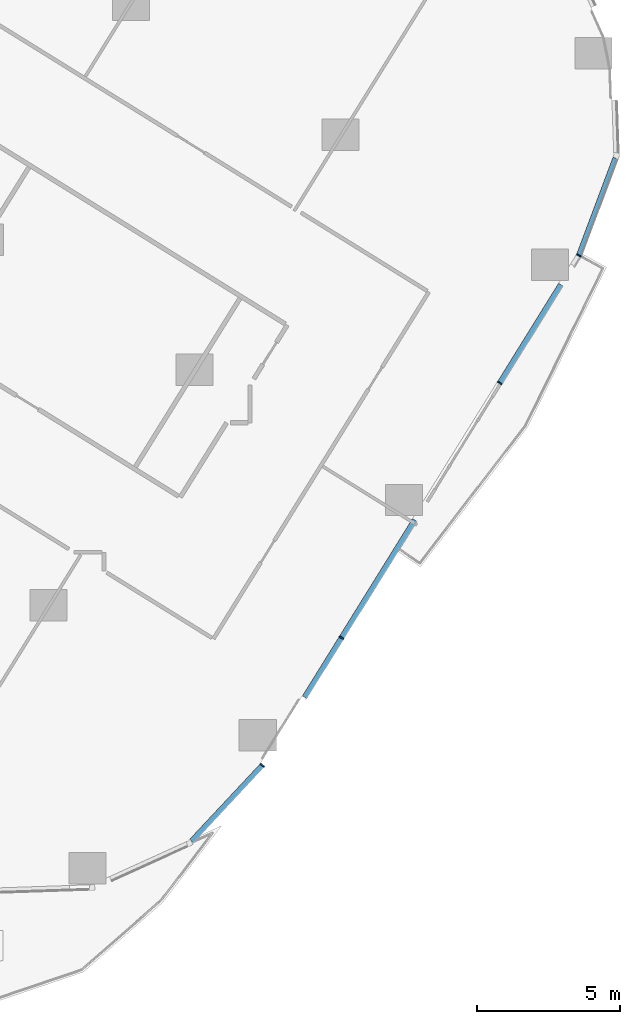
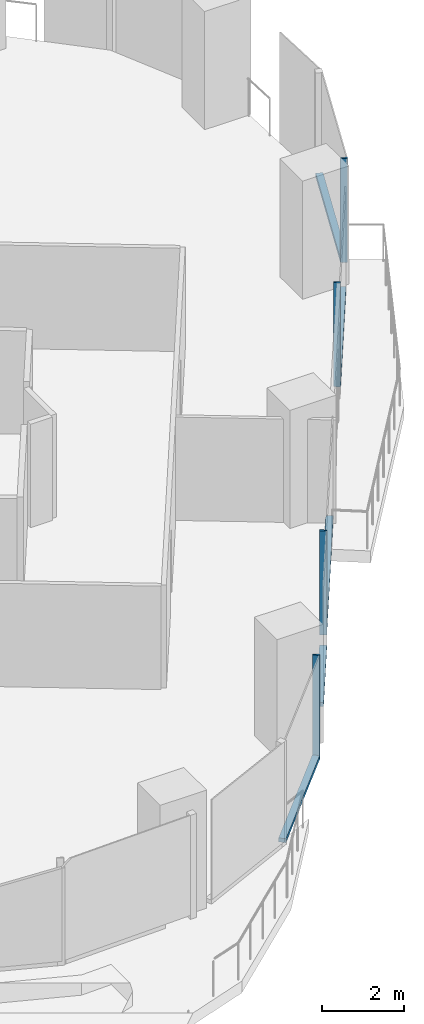
# One storey, part 8 of 34: 9 members, 3 elements without a shape of their own.
"""IFC4 building model written with IfcOpenShell, lengths in metres."""

from ifc_helpers import new_model, si_unit, direction, frame, origin, origin_2d, place, context, subcontext, project, spatial, rectangle, extrude, material, material_profile, profile_set, type_object, element, aggregate, save


model = new_model("IFC4")

# Units and contexts
model_context = context("Model", 3, precision=1e-05, world=origin(), true_north=direction((0.0, 1.0)))
body_context = subcontext(model_context, "Body", "Model", "MODEL_VIEW")
ifc_project = project(units=[si_unit("LENGTHUNIT", "METRE"), si_unit("AREAUNIT", "SQUARE_METRE"), si_unit("VOLUMEUNIT", "CUBIC_METRE"), si_unit("PLANEANGLEUNIT", "RADIAN"), si_unit("MASSUNIT", "GRAM", prefix="KILO")], contexts=[model_context])

# Site, building, storey
site_placement = place(None, origin())
site = spatial("IfcSite", under=ifc_project, at=site_placement, CompositionType="ELEMENT")
building_placement = place(site_placement, origin())
building = spatial("IfcBuilding", under=site, at=building_placement, Name="Orlundy Tower", CompositionType="ELEMENT")
storey_placement = place(building_placement, frame((0.0, 0.0, 37.300048828125)))
storey = spatial("IfcBuildingStorey", under=building, at=storey_placement, Name="L07", CompositionType="ELEMENT", Elevation=37.300048828125)

# Curtain wall, members
ifc_material_1 = material(Name="Aluminium bronze anodised", Category="aluminium")
curtain_wall_type = type_object("IfcCurtainWallType", Name="CW1 wall", PredefinedType="NOTDEFINED", material=ifc_material_1)
curtain_wall_1_placement = place(storey_placement, origin())
curtain_wall_1 = element("IfcCurtainWall", 1, at=curtain_wall_1_placement, inside=storey, type_object=curtain_wall_type, Name="CW1 run 011", PredefinedType="NOTDEFINED")
ifc_material_2 = material(Name="Aluminium bronze anodised", Category="aluminium")
ifc_material_profile_1 = material_profile(ifc_material_2, rectangle(XDim=0.179931640625, YDim=0.050048828125, at=origin_2d()), Name="CW1 mullion 50x180")
ifc_profile_set_1 = profile_set([ifc_material_profile_1], Name="Aluminium bronze anodised")
member_type_1 = type_object("IfcMemberType", Name="CW1 mullion 50x180", PredefinedType="MULLION", material=ifc_profile_set_1)
member_1_placement = place(storey_placement, frame((56.170166015625, -22.5029296875, 0.0), z_axis=(0.0, 0.0, 1.0), x_axis=(0.897195117348, -0.441634375255, 0.0)))
member_1 = element("IfcMember", 2, at=member_1_placement, type_object=member_type_1, Name="CW1 mullion 36", PredefinedType="MULLION", context=body_context, shape_type="SweptSolid", body=[
    extrude(rectangle(XDim=0.179931640625, YDim=0.050048828125, at=origin_2d()), origin(), (0.0, 0.0, 1.0), 3.079833984375),
])
member_2_placement = place(storey_placement, frame((53.396240234375, -26.970703125, 0.0), z_axis=(0.0, 0.0, 1.0), x_axis=(0.849570263059, -0.527475466848, 0.0)))
member_2 = element("IfcMember", 3, at=member_2_placement, type_object=member_type_1, Name="CW1 mullion 37", PredefinedType="MULLION", context=body_context, shape_type="SweptSolid", body=[
    extrude(rectangle(XDim=0.179931640625, YDim=0.050048828125, at=origin_2d()), origin(), (0.0, 0.0, 1.0), 3.079833984375),
])
member_3_placement = place(storey_placement, frame((47.857666015625, -35.89111328125, 0.0), z_axis=(0.0, 0.0, 1.0), x_axis=(0.849570263059, -0.527475466848, 0.0)))
member_3 = element("IfcMember", 4, at=member_3_placement, type_object=member_type_1, Name="CW1 mullion 39", PredefinedType="MULLION", context=body_context, shape_type="SweptSolid", body=[
    extrude(rectangle(XDim=0.179931640625, YDim=0.050048828125, at=origin_2d()), origin(), (0.0, 0.0, 1.0), 3.079833984375),
])

# Curtain wall, member
curtain_wall_2_placement = place(storey_placement, origin())
curtain_wall_2 = element("IfcCurtainWall", 5, at=curtain_wall_2_placement, inside=storey, type_object=curtain_wall_type, Name="CW1 run 012", PredefinedType="NOTDEFINED")
member_4_placement = place(storey_placement, frame((45.083740234375, -40.35888671875, 0.0), z_axis=(0.0, 0.0, 1.0), x_axis=(0.793768151069, -0.608220455385, 0.0)))
member_4 = element("IfcMember", 6, at=member_4_placement, type_object=member_type_1, Name="CW1 mullion 40", PredefinedType="MULLION", context=body_context, shape_type="SweptSolid", body=[
    extrude(rectangle(XDim=0.179931640625, YDim=0.050048828125, at=origin_2d()), origin(), (0.0, 0.0, 1.0), 3.079833984375),
])

curtain_wall_3_placement = place(storey_placement, origin())
curtain_wall_3 = element("IfcCurtainWall", 7, at=curtain_wall_3_placement, inside=storey, type_object=curtain_wall_type, Name="CW1 run 010", PredefinedType="NOTDEFINED")
ifc_material_3 = material(Name="Aluminium bronze anodised", Category="aluminium")
ifc_material_profile_2 = material_profile(ifc_material_3, rectangle(XDim=0.179931640625, YDim=0.1201171875, at=origin_2d()), Name="CW1 transom 180x120")
ifc_profile_set_2 = profile_set([ifc_material_profile_2], Name="Aluminium bronze anodised")
member_type_2 = type_object("IfcMemberType", Name="CW1 transom 180x120", PredefinedType="USERDEFINED", material=ifc_profile_set_2)
member_5_placement = place(storey_placement, frame((57.450927734375, -19.092041015625, 0.06005859375), z_axis=(-0.351530090139, -0.936176583624, 0.0), x_axis=(0.936176583624, -0.351530090139, 0.0)))
member_5 = element("IfcMember", 8, at=member_5_placement, type_object=member_type_2, Name="CW1 transom", ObjectType="TRANSOM", PredefinedType="USERDEFINED", context=body_context, shape_type="SweptSolid", body=[
    extrude(rectangle(XDim=0.179931640625, YDim=0.1201171875, at=origin_2d()), origin(), (0.0, 0.0, 1.0), 3.618408203125),
])
aggregate(curtain_wall_3, [member_5])

# Member
member_6_placement = place(storey_placement, frame((55.534912109375, -23.52587890625, 0.06005859375), z_axis=(-0.527453346313, -0.849583996709, 0.0), x_axis=(0.849583996709, -0.527453346313, 0.0)))
member_6 = element("IfcMember", 9, at=member_6_placement, type_object=member_type_2, Name="CW1 transom", ObjectType="TRANSOM", PredefinedType="USERDEFINED", context=body_context, shape_type="SweptSolid", body=[
    extrude(rectangle(XDim=0.179931640625, YDim=0.1201171875, at=origin_2d()), origin(), (0.0, 0.0, 1.0), 4.02978515625),
])

member_7_placement = place(storey_placement, frame((50.418212890625, -31.76708984375, 0.06005859375), z_axis=(-0.527483666059, -0.849565172333, 0.0), x_axis=(0.849565172333, -0.527483666059, 0.0)))
member_7 = element("IfcMember", 10, at=member_7_placement, type_object=member_type_2, Name="CW1 transom", ObjectType="TRANSOM", PredefinedType="USERDEFINED", context=body_context, shape_type="SweptSolid", body=[
    extrude(rectangle(XDim=0.179931640625, YDim=0.1201171875, at=origin_2d()), origin(), (0.0, 0.0, 1.0), 4.829345703125),
])

member_8_placement = place(storey_placement, frame((47.844482421875, -35.912353515625, -0.360107421875), z_axis=(-0.527490192519, -0.849561120106, 0.0), x_axis=(0.849561120106, -0.527490192519, 0.0)))
member_8 = element("IfcMember", 11, at=member_8_placement, type_object=member_type_2, Name="CW1 transom", ObjectType="TRANSOM", PredefinedType="USERDEFINED", context=body_context, shape_type="SweptSolid", body=[
    extrude(rectangle(XDim=0.179931640625, YDim=0.1201171875, at=origin_2d()), origin(), (0.0, 0.0, 1.0), 2.43408203125),
])

aggregate(curtain_wall_1, [member_1, member_2, member_3, member_6, member_7, member_8])

member_9_placement = place(storey_placement, frame((45.066650390625, -40.37744140625, 0.06005859375), z_axis=(-0.683115252824, -0.730310585545, 0.0), x_axis=(0.730310585545, -0.683115252824, 0.0)))
member_9 = element("IfcMember", 12, at=member_9_placement, type_object=member_type_2, Name="CW1 transom", ObjectType="TRANSOM", PredefinedType="USERDEFINED", context=body_context, shape_type="SweptSolid", body=[
    extrude(rectangle(XDim=0.179931640625, YDim=0.1201171875, at=origin_2d()), origin(), (0.0, 0.0, 1.0), 3.61083984375),
])

aggregate(curtain_wall_2, [member_4, member_9])

save(model, "model.ifc")
